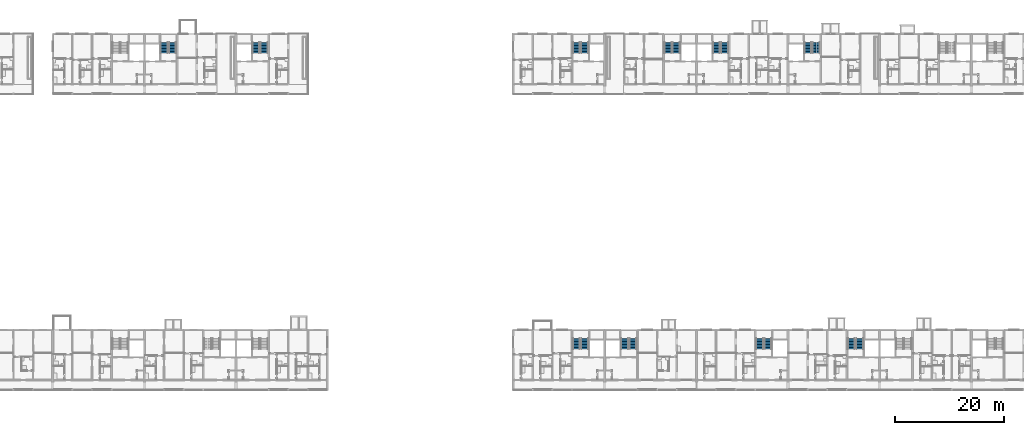
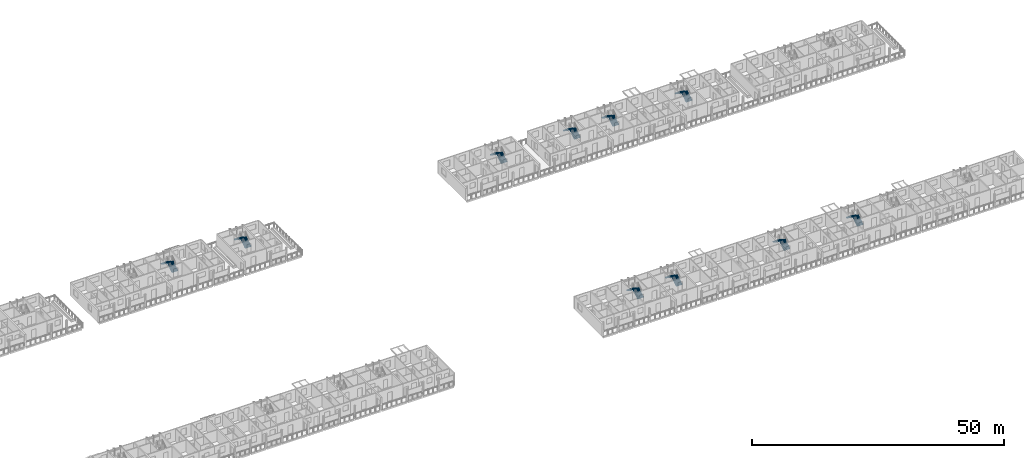
# One storey, part 61 of 94: 20 stair flights, 10 elements without a shape of their own.
"""IFC4 building model written with IfcOpenShell, lengths in metres."""

from ifc_helpers import new_model, si_unit, direction, frame, origin, place, context, subcontext, project, spatial, polyline, outline, extrude, material, type_object, element, aggregate, save


model = new_model("IFC4")

# Units and contexts
model_context = context("Model", 3, precision=1e-05, world=origin(), true_north=direction((0.0, 1.0)))
body_context = subcontext(model_context, "Body", "Model", "MODEL_VIEW")
ifc_project = project(units=[si_unit("LENGTHUNIT", "METRE"), si_unit("AREAUNIT", "SQUARE_METRE"), si_unit("VOLUMEUNIT", "CUBIC_METRE"), si_unit("PLANEANGLEUNIT", "RADIAN"), si_unit("MASSUNIT", "GRAM", prefix="KILO")], contexts=[model_context])

# Site, building, storey
site_placement = place(None, origin())
site = spatial("IfcSite", under=ifc_project, at=site_placement, CompositionType="ELEMENT")
building_placement = place(site_placement, origin())
building = spatial("IfcBuilding", under=site, at=building_placement, Name="Ridgestep Commons", CompositionType="ELEMENT")
storey_placement = place(building_placement, frame((0.0, 0.0, 21.0)))
storey = spatial("IfcBuildingStorey", under=building, at=storey_placement, Name="L07", CompositionType="ELEMENT", Elevation=21.0)

# Stair, stair flights
ifc_material_1 = material(Name="Precast concrete C40/50", Category="concrete")
stair_type = type_object("IfcStairType", Name="Escape stair 1400", PredefinedType="HALF_TURN_STAIR", material=ifc_material_1)
stair_1_placement = place(storey_placement, origin())
stair_1 = element("IfcStair", 1, at=stair_1_placement, inside=storey, type_object=stair_type, Name="L07 Escape stair B5C", PredefinedType="HALF_TURN_STAIR")
ifc_material_2 = material(Name="Precast concrete C40/50", Category="concrete")
stair_flight_type = type_object("IfcStairFlightType", Name="Stair flight 1400", PredefinedType="STRAIGHT", material=ifc_material_2)
stair_flight_1_placement = place(storey_placement, frame((84.375, 73.60009765625, 0.0), z_axis=(0.0, 0.0, 1.0), x_axis=(0.0, 1.0, 0.0)))
stair_flight_1 = element("IfcStairFlight", 2, at=stair_flight_1_placement, type_object=stair_flight_type, Name="B5C flight 1", NumberOfRisers=8, NumberOfTreads=7, PredefinedType="STRAIGHT", RiserHeight=0.1875, TreadLength=0.28, context=body_context, shape_type="SweptSolid", body=[
    extrude(outline(polyline([(0.0, 0.0), (0.0, 0.1875), (0.280029296875, 0.1875), (0.280029296875, 0.375), (0.56005859375, 0.375), (0.56005859375, 0.5625), (0.840087890625, 0.5625), (0.840087890625, 0.75), (1.1201171875, 0.75), (1.1201171875, 0.9375), (1.39990234375, 0.9375), (1.39990234375, 1.125), (1.679931640625, 1.125), (1.679931640625, 1.3125), (1.9599609375, 1.3125), (1.9599609375, 1.5), (1.9599609375, 1.132080078125), (0.26953125, 0.0), (0.0, 0.0)])), frame((0.0, 0.699951171875, 0.0), z_axis=(0.0, -1.0, 0.0), x_axis=(1.0, 0.0, 0.0)), (0.0, 0.0, 1.0), 0.695068359375),
    extrude(outline(polyline([(0.0, 0.0), (0.0, 0.1875), (0.280029296875, 0.1875), (0.280029296875, 0.375), (0.56005859375, 0.375), (0.56005859375, 0.5625), (0.840087890625, 0.5625), (0.840087890625, 0.75), (1.1201171875, 0.75), (1.1201171875, 0.9375), (1.39990234375, 0.9375), (1.39990234375, 1.125), (1.679931640625, 1.125), (1.679931640625, 1.3125), (1.9599609375, 1.3125), (1.9599609375, 1.5), (1.9599609375, 1.132080078125), (0.26953125, 0.0), (0.0, 0.0)])), frame((0.0, -0.0048828125, 0.0), z_axis=(0.0, -1.0, 0.0), x_axis=(1.0, 0.0, 0.0)), (0.0, 0.0, 1.0), 0.695068359375),
])
stair_flight_2_placement = place(storey_placement, frame((82.875, 75.56005859375, 1.5), z_axis=(0.0, 0.0, 1.0), x_axis=(0.0, -1.0, 0.0)))
stair_flight_2 = element("IfcStairFlight", 3, at=stair_flight_2_placement, type_object=stair_flight_type, Name="B5C flight 2", NumberOfRisers=8, NumberOfTreads=7, PredefinedType="STRAIGHT", RiserHeight=0.1875, TreadLength=0.28, context=body_context, shape_type="SweptSolid", body=[
    extrude(outline(polyline([(0.0, 0.0), (0.0, 0.1875), (0.280029296875, 0.1875), (0.280029296875, 0.375), (0.56005859375, 0.375), (0.56005859375, 0.5625), (0.840087890625, 0.5625), (0.840087890625, 0.75), (1.1201171875, 0.75), (1.1201171875, 0.9375), (1.39990234375, 0.9375), (1.39990234375, 1.125), (1.679931640625, 1.125), (1.679931640625, 1.3125), (1.9599609375, 1.3125), (1.9599609375, 1.5), (1.9599609375, 1.132080078125), (0.26953125, 0.0), (0.0, 0.0)])), frame((0.0, 0.699951171875, 0.0), z_axis=(0.0, -1.0, 0.0), x_axis=(1.0, 0.0, 0.0)), (0.0, 0.0, 1.0), 0.695068359375),
    extrude(outline(polyline([(0.0, 0.0), (0.0, 0.1875), (0.280029296875, 0.1875), (0.280029296875, 0.375), (0.56005859375, 0.375), (0.56005859375, 0.5625), (0.840087890625, 0.5625), (0.840087890625, 0.75), (1.1201171875, 0.75), (1.1201171875, 0.9375), (1.39990234375, 0.9375), (1.39990234375, 1.125), (1.679931640625, 1.125), (1.679931640625, 1.3125), (1.9599609375, 1.3125), (1.9599609375, 1.5), (1.9599609375, 1.132080078125), (0.26953125, 0.0), (0.0, 0.0)])), frame((0.0, -0.0048828125, 0.0), z_axis=(0.0, -1.0, 0.0), x_axis=(1.0, 0.0, 0.0)), (0.0, 0.0, 1.0), 0.695068359375),
])
aggregate(stair_1, [stair_flight_1, stair_flight_2])

stair_2_placement = place(storey_placement, origin())
stair_2 = element("IfcStair", 4, at=stair_2_placement, inside=storey, type_object=stair_type, Name="L07 Escape stair B6C", PredefinedType="HALF_TURN_STAIR")
stair_flight_3_placement = place(storey_placement, frame((101.175048828125, 73.60009765625, 0.0), z_axis=(0.0, 0.0, 1.0), x_axis=(0.0, 1.0, 0.0)))
stair_flight_3 = element("IfcStairFlight", 5, at=stair_flight_3_placement, type_object=stair_flight_type, Name="B6C flight 1", NumberOfRisers=8, NumberOfTreads=7, PredefinedType="STRAIGHT", RiserHeight=0.1875, TreadLength=0.28, context=body_context, shape_type="SweptSolid", body=[
    extrude(outline(polyline([(0.0, 0.0), (0.0, 0.1875), (0.280029296875, 0.1875), (0.280029296875, 0.375), (0.56005859375, 0.375), (0.56005859375, 0.5625), (0.840087890625, 0.5625), (0.840087890625, 0.75), (1.1201171875, 0.75), (1.1201171875, 0.9375), (1.39990234375, 0.9375), (1.39990234375, 1.125), (1.679931640625, 1.125), (1.679931640625, 1.3125), (1.9599609375, 1.3125), (1.9599609375, 1.5), (1.9599609375, 1.132080078125), (0.26953125, 0.0), (0.0, 0.0)])), frame((0.0, 0.699951171875, 0.0), z_axis=(0.0, -1.0, 0.0), x_axis=(1.0, 0.0, 0.0)), (0.0, 0.0, 1.0), 0.695068359375),
    extrude(outline(polyline([(0.0, 0.0), (0.0, 0.1875), (0.280029296875, 0.1875), (0.280029296875, 0.375), (0.56005859375, 0.375), (0.56005859375, 0.5625), (0.840087890625, 0.5625), (0.840087890625, 0.75), (1.1201171875, 0.75), (1.1201171875, 0.9375), (1.39990234375, 0.9375), (1.39990234375, 1.125), (1.679931640625, 1.125), (1.679931640625, 1.3125), (1.9599609375, 1.3125), (1.9599609375, 1.5), (1.9599609375, 1.132080078125), (0.26953125, 0.0), (0.0, 0.0)])), frame((0.0, -0.0048828125, 0.0), z_axis=(0.0, -1.0, 0.0), x_axis=(1.0, 0.0, 0.0)), (0.0, 0.0, 1.0), 0.695068359375),
])
stair_flight_4_placement = place(storey_placement, frame((99.675048828125, 75.56005859375, 1.5), z_axis=(0.0, 0.0, 1.0), x_axis=(0.0, -1.0, 0.0)))
stair_flight_4 = element("IfcStairFlight", 6, at=stair_flight_4_placement, type_object=stair_flight_type, Name="B6C flight 2", NumberOfRisers=8, NumberOfTreads=7, PredefinedType="STRAIGHT", RiserHeight=0.1875, TreadLength=0.28, context=body_context, shape_type="SweptSolid", body=[
    extrude(outline(polyline([(0.0, 0.0), (0.0, 0.1875), (0.280029296875, 0.1875), (0.280029296875, 0.375), (0.56005859375, 0.375), (0.56005859375, 0.5625), (0.840087890625, 0.5625), (0.840087890625, 0.75), (1.1201171875, 0.75), (1.1201171875, 0.9375), (1.39990234375, 0.9375), (1.39990234375, 1.125), (1.679931640625, 1.125), (1.679931640625, 1.3125), (1.9599609375, 1.3125), (1.9599609375, 1.5), (1.9599609375, 1.132080078125), (0.26953125, 0.0), (0.0, 0.0)])), frame((0.0, 0.699951171875, 0.0), z_axis=(0.0, -1.0, 0.0), x_axis=(1.0, 0.0, 0.0)), (0.0, 0.0, 1.0), 0.695068359375),
    extrude(outline(polyline([(0.0, 0.0), (0.0, 0.1875), (0.280029296875, 0.1875), (0.280029296875, 0.375), (0.56005859375, 0.375), (0.56005859375, 0.5625), (0.840087890625, 0.5625), (0.840087890625, 0.75), (1.1201171875, 0.75), (1.1201171875, 0.9375), (1.39990234375, 0.9375), (1.39990234375, 1.125), (1.679931640625, 1.125), (1.679931640625, 1.3125), (1.9599609375, 1.3125), (1.9599609375, 1.5), (1.9599609375, 1.132080078125), (0.26953125, 0.0), (0.0, 0.0)])), frame((0.0, -0.0048828125, 0.0), z_axis=(0.0, -1.0, 0.0), x_axis=(1.0, 0.0, 0.0)), (0.0, 0.0, 1.0), 0.695068359375),
])
aggregate(stair_2, [stair_flight_3, stair_flight_4])

stair_3_placement = place(storey_placement, origin())
stair_3 = element("IfcStair", 7, at=stair_3_placement, inside=storey, type_object=stair_type, Name="L07 Escape stair C1C", PredefinedType="HALF_TURN_STAIR")
stair_flight_5_placement = place(storey_placement, frame((159.925048828125, 73.60009765625, 0.0), z_axis=(0.0, 0.0, 1.0), x_axis=(0.0, 1.0, 0.0)))
stair_flight_5 = element("IfcStairFlight", 8, at=stair_flight_5_placement, type_object=stair_flight_type, Name="C1C flight 1", NumberOfRisers=8, NumberOfTreads=7, PredefinedType="STRAIGHT", RiserHeight=0.1875, TreadLength=0.28, context=body_context, shape_type="SweptSolid", body=[
    extrude(outline(polyline([(0.0, 0.0), (0.0, 0.1875), (0.280029296875, 0.1875), (0.280029296875, 0.375), (0.56005859375, 0.375), (0.56005859375, 0.5625), (0.840087890625, 0.5625), (0.840087890625, 0.75), (1.1201171875, 0.75), (1.1201171875, 0.9375), (1.39990234375, 0.9375), (1.39990234375, 1.125), (1.679931640625, 1.125), (1.679931640625, 1.3125), (1.9599609375, 1.3125), (1.9599609375, 1.5), (1.9599609375, 1.132080078125), (0.26953125, 0.0), (0.0, 0.0)])), frame((0.0, 0.699951171875, 0.0), z_axis=(0.0, -1.0, 0.0), x_axis=(1.0, 0.0, 0.0)), (0.0, 0.0, 1.0), 0.695068359375),
    extrude(outline(polyline([(0.0, 0.0), (0.0, 0.1875), (0.280029296875, 0.1875), (0.280029296875, 0.375), (0.56005859375, 0.375), (0.56005859375, 0.5625), (0.840087890625, 0.5625), (0.840087890625, 0.75), (1.1201171875, 0.75), (1.1201171875, 0.9375), (1.39990234375, 0.9375), (1.39990234375, 1.125), (1.679931640625, 1.125), (1.679931640625, 1.3125), (1.9599609375, 1.3125), (1.9599609375, 1.5), (1.9599609375, 1.132080078125), (0.26953125, 0.0), (0.0, 0.0)])), frame((0.0, -0.0048828125, 0.0), z_axis=(0.0, -1.0, 0.0), x_axis=(1.0, 0.0, 0.0)), (0.0, 0.0, 1.0), 0.695068359375),
])
stair_flight_6_placement = place(storey_placement, frame((158.425048828125, 75.56005859375, 1.5), z_axis=(0.0, 0.0, 1.0), x_axis=(0.0, -1.0, 0.0)))
stair_flight_6 = element("IfcStairFlight", 9, at=stair_flight_6_placement, type_object=stair_flight_type, Name="C1C flight 2", NumberOfRisers=8, NumberOfTreads=7, PredefinedType="STRAIGHT", RiserHeight=0.1875, TreadLength=0.28, context=body_context, shape_type="SweptSolid", body=[
    extrude(outline(polyline([(0.0, 0.0), (0.0, 0.1875), (0.280029296875, 0.1875), (0.280029296875, 0.375), (0.56005859375, 0.375), (0.56005859375, 0.5625), (0.840087890625, 0.5625), (0.840087890625, 0.75), (1.1201171875, 0.75), (1.1201171875, 0.9375), (1.39990234375, 0.9375), (1.39990234375, 1.125), (1.679931640625, 1.125), (1.679931640625, 1.3125), (1.9599609375, 1.3125), (1.9599609375, 1.5), (1.9599609375, 1.132080078125), (0.26953125, 0.0), (0.0, 0.0)])), frame((0.0, 0.699951171875, 0.0), z_axis=(0.0, -1.0, 0.0), x_axis=(1.0, 0.0, 0.0)), (0.0, 0.0, 1.0), 0.695068359375),
    extrude(outline(polyline([(0.0, 0.0), (0.0, 0.1875), (0.280029296875, 0.1875), (0.280029296875, 0.375), (0.56005859375, 0.375), (0.56005859375, 0.5625), (0.840087890625, 0.5625), (0.840087890625, 0.75), (1.1201171875, 0.75), (1.1201171875, 0.9375), (1.39990234375, 0.9375), (1.39990234375, 1.125), (1.679931640625, 1.125), (1.679931640625, 1.3125), (1.9599609375, 1.3125), (1.9599609375, 1.5), (1.9599609375, 1.132080078125), (0.26953125, 0.0), (0.0, 0.0)])), frame((0.0, -0.0048828125, 0.0), z_axis=(0.0, -1.0, 0.0), x_axis=(1.0, 0.0, 0.0)), (0.0, 0.0, 1.0), 0.695068359375),
])
aggregate(stair_3, [stair_flight_5, stair_flight_6])

stair_4_placement = place(storey_placement, origin())
stair_4 = element("IfcStair", 10, at=stair_4_placement, inside=storey, type_object=stair_type, Name="L07 Escape stair C2C", PredefinedType="HALF_TURN_STAIR")
stair_flight_7_placement = place(storey_placement, frame((176.72509765625, 73.60009765625, 0.0), z_axis=(0.0, 0.0, 1.0), x_axis=(0.0, 1.0, 0.0)))
stair_flight_7 = element("IfcStairFlight", 11, at=stair_flight_7_placement, type_object=stair_flight_type, Name="C2C flight 1", NumberOfRisers=8, NumberOfTreads=7, PredefinedType="STRAIGHT", RiserHeight=0.1875, TreadLength=0.28, context=body_context, shape_type="SweptSolid", body=[
    extrude(outline(polyline([(0.0, 0.0), (0.0, 0.1875), (0.280029296875, 0.1875), (0.280029296875, 0.375), (0.56005859375, 0.375), (0.56005859375, 0.5625), (0.840087890625, 0.5625), (0.840087890625, 0.75), (1.1201171875, 0.75), (1.1201171875, 0.9375), (1.39990234375, 0.9375), (1.39990234375, 1.125), (1.679931640625, 1.125), (1.679931640625, 1.3125), (1.9599609375, 1.3125), (1.9599609375, 1.5), (1.9599609375, 1.132080078125), (0.26953125, 0.0), (0.0, 0.0)])), frame((0.0, 0.699951171875, 0.0), z_axis=(0.0, -1.0, 0.0), x_axis=(1.0, 0.0, 0.0)), (0.0, 0.0, 1.0), 0.695068359375),
    extrude(outline(polyline([(0.0, 0.0), (0.0, 0.1875), (0.280029296875, 0.1875), (0.280029296875, 0.375), (0.56005859375, 0.375), (0.56005859375, 0.5625), (0.840087890625, 0.5625), (0.840087890625, 0.75), (1.1201171875, 0.75), (1.1201171875, 0.9375), (1.39990234375, 0.9375), (1.39990234375, 1.125), (1.679931640625, 1.125), (1.679931640625, 1.3125), (1.9599609375, 1.3125), (1.9599609375, 1.5), (1.9599609375, 1.132080078125), (0.26953125, 0.0), (0.0, 0.0)])), frame((0.0, -0.0048828125, 0.0), z_axis=(0.0, -1.0, 0.0), x_axis=(1.0, 0.0, 0.0)), (0.0, 0.0, 1.0), 0.695068359375),
])
stair_flight_8_placement = place(storey_placement, frame((175.22509765625, 75.56005859375, 1.5), z_axis=(0.0, 0.0, 1.0), x_axis=(0.0, -1.0, 0.0)))
stair_flight_8 = element("IfcStairFlight", 12, at=stair_flight_8_placement, type_object=stair_flight_type, Name="C2C flight 2", NumberOfRisers=8, NumberOfTreads=7, PredefinedType="STRAIGHT", RiserHeight=0.1875, TreadLength=0.28, context=body_context, shape_type="SweptSolid", body=[
    extrude(outline(polyline([(0.0, 0.0), (0.0, 0.1875), (0.280029296875, 0.1875), (0.280029296875, 0.375), (0.56005859375, 0.375), (0.56005859375, 0.5625), (0.840087890625, 0.5625), (0.840087890625, 0.75), (1.1201171875, 0.75), (1.1201171875, 0.9375), (1.39990234375, 0.9375), (1.39990234375, 1.125), (1.679931640625, 1.125), (1.679931640625, 1.3125), (1.9599609375, 1.3125), (1.9599609375, 1.5), (1.9599609375, 1.132080078125), (0.26953125, 0.0), (0.0, 0.0)])), frame((0.0, 0.699951171875, 0.0), z_axis=(0.0, -1.0, 0.0), x_axis=(1.0, 0.0, 0.0)), (0.0, 0.0, 1.0), 0.695068359375),
    extrude(outline(polyline([(0.0, 0.0), (0.0, 0.1875), (0.280029296875, 0.1875), (0.280029296875, 0.375), (0.56005859375, 0.375), (0.56005859375, 0.5625), (0.840087890625, 0.5625), (0.840087890625, 0.75), (1.1201171875, 0.75), (1.1201171875, 0.9375), (1.39990234375, 0.9375), (1.39990234375, 1.125), (1.679931640625, 1.125), (1.679931640625, 1.3125), (1.9599609375, 1.3125), (1.9599609375, 1.5), (1.9599609375, 1.132080078125), (0.26953125, 0.0), (0.0, 0.0)])), frame((0.0, -0.0048828125, 0.0), z_axis=(0.0, -1.0, 0.0), x_axis=(1.0, 0.0, 0.0)), (0.0, 0.0, 1.0), 0.695068359375),
])
aggregate(stair_4, [stair_flight_7, stair_flight_8])

stair_5_placement = place(storey_placement, origin())
stair_5 = element("IfcStair", 13, at=stair_5_placement, inside=storey, type_object=stair_type, Name="L07 Escape stair C3C", PredefinedType="HALF_TURN_STAIR")
stair_flight_9_placement = place(storey_placement, frame((185.574951171875, 73.60009765625, 0.0), z_axis=(0.0, 0.0, 1.0), x_axis=(0.0, 1.0, 0.0)))
stair_flight_9 = element("IfcStairFlight", 14, at=stair_flight_9_placement, type_object=stair_flight_type, Name="C3C flight 1", NumberOfRisers=8, NumberOfTreads=7, PredefinedType="STRAIGHT", RiserHeight=0.1875, TreadLength=0.28, context=body_context, shape_type="SweptSolid", body=[
    extrude(outline(polyline([(0.0, 0.0), (0.0, 0.1875), (0.280029296875, 0.1875), (0.280029296875, 0.375), (0.56005859375, 0.375), (0.56005859375, 0.5625), (0.840087890625, 0.5625), (0.840087890625, 0.75), (1.1201171875, 0.75), (1.1201171875, 0.9375), (1.39990234375, 0.9375), (1.39990234375, 1.125), (1.679931640625, 1.125), (1.679931640625, 1.3125), (1.9599609375, 1.3125), (1.9599609375, 1.5), (1.9599609375, 1.132080078125), (0.26953125, 0.0), (0.0, 0.0)])), frame((0.0, 0.699951171875, 0.0), z_axis=(0.0, -1.0, 0.0), x_axis=(1.0, 0.0, 0.0)), (0.0, 0.0, 1.0), 0.695068359375),
    extrude(outline(polyline([(0.0, 0.0), (0.0, 0.1875), (0.280029296875, 0.1875), (0.280029296875, 0.375), (0.56005859375, 0.375), (0.56005859375, 0.5625), (0.840087890625, 0.5625), (0.840087890625, 0.75), (1.1201171875, 0.75), (1.1201171875, 0.9375), (1.39990234375, 0.9375), (1.39990234375, 1.125), (1.679931640625, 1.125), (1.679931640625, 1.3125), (1.9599609375, 1.3125), (1.9599609375, 1.5), (1.9599609375, 1.132080078125), (0.26953125, 0.0), (0.0, 0.0)])), frame((0.0, -0.0048828125, 0.0), z_axis=(0.0, -1.0, 0.0), x_axis=(1.0, 0.0, 0.0)), (0.0, 0.0, 1.0), 0.695068359375),
])
stair_flight_10_placement = place(storey_placement, frame((184.074951171875, 75.56005859375, 1.5), z_axis=(0.0, 0.0, 1.0), x_axis=(0.0, -1.0, 0.0)))
stair_flight_10 = element("IfcStairFlight", 15, at=stair_flight_10_placement, type_object=stair_flight_type, Name="C3C flight 2", NumberOfRisers=8, NumberOfTreads=7, PredefinedType="STRAIGHT", RiserHeight=0.1875, TreadLength=0.28, context=body_context, shape_type="SweptSolid", body=[
    extrude(outline(polyline([(0.0, 0.0), (0.0, 0.1875), (0.280029296875, 0.1875), (0.280029296875, 0.375), (0.56005859375, 0.375), (0.56005859375, 0.5625), (0.840087890625, 0.5625), (0.840087890625, 0.75), (1.1201171875, 0.75), (1.1201171875, 0.9375), (1.39990234375, 0.9375), (1.39990234375, 1.125), (1.679931640625, 1.125), (1.679931640625, 1.3125), (1.9599609375, 1.3125), (1.9599609375, 1.5), (1.9599609375, 1.132080078125), (0.26953125, 0.0), (0.0, 0.0)])), frame((0.0, 0.699951171875, 0.0), z_axis=(0.0, -1.0, 0.0), x_axis=(1.0, 0.0, 0.0)), (0.0, 0.0, 1.0), 0.695068359375),
    extrude(outline(polyline([(0.0, 0.0), (0.0, 0.1875), (0.280029296875, 0.1875), (0.280029296875, 0.375), (0.56005859375, 0.375), (0.56005859375, 0.5625), (0.840087890625, 0.5625), (0.840087890625, 0.75), (1.1201171875, 0.75), (1.1201171875, 0.9375), (1.39990234375, 0.9375), (1.39990234375, 1.125), (1.679931640625, 1.125), (1.679931640625, 1.3125), (1.9599609375, 1.3125), (1.9599609375, 1.5), (1.9599609375, 1.132080078125), (0.26953125, 0.0), (0.0, 0.0)])), frame((0.0, -0.0048828125, 0.0), z_axis=(0.0, -1.0, 0.0), x_axis=(1.0, 0.0, 0.0)), (0.0, 0.0, 1.0), 0.695068359375),
])
aggregate(stair_5, [stair_flight_9, stair_flight_10])

stair_6_placement = place(storey_placement, origin())
stair_6 = element("IfcStair", 16, at=stair_6_placement, inside=storey, type_object=stair_type, Name="L07 Escape stair C4C", PredefinedType="HALF_TURN_STAIR")
stair_flight_11_placement = place(storey_placement, frame((202.375, 73.60009765625, 0.0), z_axis=(0.0, 0.0, 1.0), x_axis=(0.0, 1.0, 0.0)))
stair_flight_11 = element("IfcStairFlight", 17, at=stair_flight_11_placement, type_object=stair_flight_type, Name="C4C flight 1", NumberOfRisers=8, NumberOfTreads=7, PredefinedType="STRAIGHT", RiserHeight=0.1875, TreadLength=0.28, context=body_context, shape_type="SweptSolid", body=[
    extrude(outline(polyline([(0.0, 0.0), (0.0, 0.1875), (0.280029296875, 0.1875), (0.280029296875, 0.375), (0.56005859375, 0.375), (0.56005859375, 0.5625), (0.840087890625, 0.5625), (0.840087890625, 0.75), (1.1201171875, 0.75), (1.1201171875, 0.9375), (1.39990234375, 0.9375), (1.39990234375, 1.125), (1.679931640625, 1.125), (1.679931640625, 1.3125), (1.9599609375, 1.3125), (1.9599609375, 1.5), (1.9599609375, 1.132080078125), (0.26953125, 0.0), (0.0, 0.0)])), frame((0.0, 0.699951171875, 0.0), z_axis=(0.0, -1.0, 0.0), x_axis=(1.0, 0.0, 0.0)), (0.0, 0.0, 1.0), 0.695068359375),
    extrude(outline(polyline([(0.0, 0.0), (0.0, 0.1875), (0.280029296875, 0.1875), (0.280029296875, 0.375), (0.56005859375, 0.375), (0.56005859375, 0.5625), (0.840087890625, 0.5625), (0.840087890625, 0.75), (1.1201171875, 0.75), (1.1201171875, 0.9375), (1.39990234375, 0.9375), (1.39990234375, 1.125), (1.679931640625, 1.125), (1.679931640625, 1.3125), (1.9599609375, 1.3125), (1.9599609375, 1.5), (1.9599609375, 1.132080078125), (0.26953125, 0.0), (0.0, 0.0)])), frame((0.0, -0.0048828125, 0.0), z_axis=(0.0, -1.0, 0.0), x_axis=(1.0, 0.0, 0.0)), (0.0, 0.0, 1.0), 0.695068359375),
])
stair_flight_12_placement = place(storey_placement, frame((200.875, 75.56005859375, 1.5), z_axis=(0.0, 0.0, 1.0), x_axis=(0.0, -1.0, 0.0)))
stair_flight_12 = element("IfcStairFlight", 18, at=stair_flight_12_placement, type_object=stair_flight_type, Name="C4C flight 2", NumberOfRisers=8, NumberOfTreads=7, PredefinedType="STRAIGHT", RiserHeight=0.1875, TreadLength=0.28, context=body_context, shape_type="SweptSolid", body=[
    extrude(outline(polyline([(0.0, 0.0), (0.0, 0.1875), (0.280029296875, 0.1875), (0.280029296875, 0.375), (0.56005859375, 0.375), (0.56005859375, 0.5625), (0.840087890625, 0.5625), (0.840087890625, 0.75), (1.1201171875, 0.75), (1.1201171875, 0.9375), (1.39990234375, 0.9375), (1.39990234375, 1.125), (1.679931640625, 1.125), (1.679931640625, 1.3125), (1.9599609375, 1.3125), (1.9599609375, 1.5), (1.9599609375, 1.132080078125), (0.26953125, 0.0), (0.0, 0.0)])), frame((0.0, 0.699951171875, 0.0), z_axis=(0.0, -1.0, 0.0), x_axis=(1.0, 0.0, 0.0)), (0.0, 0.0, 1.0), 0.695068359375),
    extrude(outline(polyline([(0.0, 0.0), (0.0, 0.1875), (0.280029296875, 0.1875), (0.280029296875, 0.375), (0.56005859375, 0.375), (0.56005859375, 0.5625), (0.840087890625, 0.5625), (0.840087890625, 0.75), (1.1201171875, 0.75), (1.1201171875, 0.9375), (1.39990234375, 0.9375), (1.39990234375, 1.125), (1.679931640625, 1.125), (1.679931640625, 1.3125), (1.9599609375, 1.3125), (1.9599609375, 1.5), (1.9599609375, 1.132080078125), (0.26953125, 0.0), (0.0, 0.0)])), frame((0.0, -0.0048828125, 0.0), z_axis=(0.0, -1.0, 0.0), x_axis=(1.0, 0.0, 0.0)), (0.0, 0.0, 1.0), 0.695068359375),
])
aggregate(stair_6, [stair_flight_11, stair_flight_12])

stair_7_placement = place(storey_placement, origin())
stair_7 = element("IfcStair", 19, at=stair_7_placement, inside=storey, type_object=stair_type, Name="L07 Escape stair D1C", PredefinedType="HALF_TURN_STAIR")
stair_flight_13_placement = place(storey_placement, frame((159.925048828125, 19.35009765625, 0.0), z_axis=(0.0, 0.0, 1.0), x_axis=(0.0, 1.0, 0.0)))
stair_flight_13 = element("IfcStairFlight", 20, at=stair_flight_13_placement, type_object=stair_flight_type, Name="D1C flight 1", NumberOfRisers=8, NumberOfTreads=7, PredefinedType="STRAIGHT", RiserHeight=0.1875, TreadLength=0.28, context=body_context, shape_type="SweptSolid", body=[
    extrude(outline(polyline([(0.0, 0.0), (0.0, 0.1875), (0.280029296875, 0.1875), (0.280029296875, 0.375), (0.56005859375, 0.375), (0.56005859375, 0.5625), (0.840087890625, 0.5625), (0.840087890625, 0.75), (1.1201171875, 0.75), (1.1201171875, 0.9375), (1.39990234375, 0.9375), (1.39990234375, 1.125), (1.679931640625, 1.125), (1.679931640625, 1.3125), (1.9599609375, 1.3125), (1.9599609375, 1.5), (1.9599609375, 1.132080078125), (0.26953125, 0.0), (0.0, 0.0)])), frame((0.0, 0.699951171875, 0.0), z_axis=(0.0, -1.0, 0.0), x_axis=(1.0, 0.0, 0.0)), (0.0, 0.0, 1.0), 0.695068359375),
    extrude(outline(polyline([(0.0, 0.0), (0.0, 0.1875), (0.280029296875, 0.1875), (0.280029296875, 0.375), (0.56005859375, 0.375), (0.56005859375, 0.5625), (0.840087890625, 0.5625), (0.840087890625, 0.75), (1.1201171875, 0.75), (1.1201171875, 0.9375), (1.39990234375, 0.9375), (1.39990234375, 1.125), (1.679931640625, 1.125), (1.679931640625, 1.3125), (1.9599609375, 1.3125), (1.9599609375, 1.5), (1.9599609375, 1.132080078125), (0.26953125, 0.0), (0.0, 0.0)])), frame((0.0, -0.0048828125, 0.0), z_axis=(0.0, -1.0, 0.0), x_axis=(1.0, 0.0, 0.0)), (0.0, 0.0, 1.0), 0.695068359375),
])
stair_flight_14_placement = place(storey_placement, frame((158.425048828125, 21.31005859375, 1.5), z_axis=(0.0, 0.0, 1.0), x_axis=(0.0, -1.0, 0.0)))
stair_flight_14 = element("IfcStairFlight", 21, at=stair_flight_14_placement, type_object=stair_flight_type, Name="D1C flight 2", NumberOfRisers=8, NumberOfTreads=7, PredefinedType="STRAIGHT", RiserHeight=0.1875, TreadLength=0.28, context=body_context, shape_type="SweptSolid", body=[
    extrude(outline(polyline([(0.0, 0.0), (0.0, 0.1875), (0.280029296875, 0.1875), (0.280029296875, 0.375), (0.56005859375, 0.375), (0.56005859375, 0.5625), (0.840087890625, 0.5625), (0.840087890625, 0.75), (1.1201171875, 0.75), (1.1201171875, 0.9375), (1.39990234375, 0.9375), (1.39990234375, 1.125), (1.679931640625, 1.125), (1.679931640625, 1.3125), (1.9599609375, 1.3125), (1.9599609375, 1.5), (1.9599609375, 1.132080078125), (0.26953125, 0.0), (0.0, 0.0)])), frame((0.0, 0.699951171875, 0.0), z_axis=(0.0, -1.0, 0.0), x_axis=(1.0, 0.0, 0.0)), (0.0, 0.0, 1.0), 0.695068359375),
    extrude(outline(polyline([(0.0, 0.0), (0.0, 0.1875), (0.280029296875, 0.1875), (0.280029296875, 0.375), (0.56005859375, 0.375), (0.56005859375, 0.5625), (0.840087890625, 0.5625), (0.840087890625, 0.75), (1.1201171875, 0.75), (1.1201171875, 0.9375), (1.39990234375, 0.9375), (1.39990234375, 1.125), (1.679931640625, 1.125), (1.679931640625, 1.3125), (1.9599609375, 1.3125), (1.9599609375, 1.5), (1.9599609375, 1.132080078125), (0.26953125, 0.0), (0.0, 0.0)])), frame((0.0, -0.0048828125, 0.0), z_axis=(0.0, -1.0, 0.0), x_axis=(1.0, 0.0, 0.0)), (0.0, 0.0, 1.0), 0.695068359375),
])
aggregate(stair_7, [stair_flight_13, stair_flight_14])

stair_8_placement = place(storey_placement, origin())
stair_8 = element("IfcStair", 22, at=stair_8_placement, inside=storey, type_object=stair_type, Name="L07 Escape stair D2C", PredefinedType="HALF_TURN_STAIR")
stair_flight_15_placement = place(storey_placement, frame((168.77490234375, 19.35009765625, 0.0), z_axis=(0.0, 0.0, 1.0), x_axis=(0.0, 1.0, 0.0)))
stair_flight_15 = element("IfcStairFlight", 23, at=stair_flight_15_placement, type_object=stair_flight_type, Name="D2C flight 1", NumberOfRisers=8, NumberOfTreads=7, PredefinedType="STRAIGHT", RiserHeight=0.1875, TreadLength=0.28, context=body_context, shape_type="SweptSolid", body=[
    extrude(outline(polyline([(0.0, 0.0), (0.0, 0.1875), (0.280029296875, 0.1875), (0.280029296875, 0.375), (0.56005859375, 0.375), (0.56005859375, 0.5625), (0.840087890625, 0.5625), (0.840087890625, 0.75), (1.1201171875, 0.75), (1.1201171875, 0.9375), (1.39990234375, 0.9375), (1.39990234375, 1.125), (1.679931640625, 1.125), (1.679931640625, 1.3125), (1.9599609375, 1.3125), (1.9599609375, 1.5), (1.9599609375, 1.132080078125), (0.26953125, 0.0), (0.0, 0.0)])), frame((0.0, 0.699951171875, 0.0), z_axis=(0.0, -1.0, 0.0), x_axis=(1.0, 0.0, 0.0)), (0.0, 0.0, 1.0), 0.695068359375),
    extrude(outline(polyline([(0.0, 0.0), (0.0, 0.1875), (0.280029296875, 0.1875), (0.280029296875, 0.375), (0.56005859375, 0.375), (0.56005859375, 0.5625), (0.840087890625, 0.5625), (0.840087890625, 0.75), (1.1201171875, 0.75), (1.1201171875, 0.9375), (1.39990234375, 0.9375), (1.39990234375, 1.125), (1.679931640625, 1.125), (1.679931640625, 1.3125), (1.9599609375, 1.3125), (1.9599609375, 1.5), (1.9599609375, 1.132080078125), (0.26953125, 0.0), (0.0, 0.0)])), frame((0.0, -0.0048828125, 0.0), z_axis=(0.0, -1.0, 0.0), x_axis=(1.0, 0.0, 0.0)), (0.0, 0.0, 1.0), 0.695068359375),
])
stair_flight_16_placement = place(storey_placement, frame((167.27490234375, 21.31005859375, 1.5), z_axis=(0.0, 0.0, 1.0), x_axis=(0.0, -1.0, 0.0)))
stair_flight_16 = element("IfcStairFlight", 24, at=stair_flight_16_placement, type_object=stair_flight_type, Name="D2C flight 2", NumberOfRisers=8, NumberOfTreads=7, PredefinedType="STRAIGHT", RiserHeight=0.1875, TreadLength=0.28, context=body_context, shape_type="SweptSolid", body=[
    extrude(outline(polyline([(0.0, 0.0), (0.0, 0.1875), (0.280029296875, 0.1875), (0.280029296875, 0.375), (0.56005859375, 0.375), (0.56005859375, 0.5625), (0.840087890625, 0.5625), (0.840087890625, 0.75), (1.1201171875, 0.75), (1.1201171875, 0.9375), (1.39990234375, 0.9375), (1.39990234375, 1.125), (1.679931640625, 1.125), (1.679931640625, 1.3125), (1.9599609375, 1.3125), (1.9599609375, 1.5), (1.9599609375, 1.132080078125), (0.26953125, 0.0), (0.0, 0.0)])), frame((0.0, 0.699951171875, 0.0), z_axis=(0.0, -1.0, 0.0), x_axis=(1.0, 0.0, 0.0)), (0.0, 0.0, 1.0), 0.695068359375),
    extrude(outline(polyline([(0.0, 0.0), (0.0, 0.1875), (0.280029296875, 0.1875), (0.280029296875, 0.375), (0.56005859375, 0.375), (0.56005859375, 0.5625), (0.840087890625, 0.5625), (0.840087890625, 0.75), (1.1201171875, 0.75), (1.1201171875, 0.9375), (1.39990234375, 0.9375), (1.39990234375, 1.125), (1.679931640625, 1.125), (1.679931640625, 1.3125), (1.9599609375, 1.3125), (1.9599609375, 1.5), (1.9599609375, 1.132080078125), (0.26953125, 0.0), (0.0, 0.0)])), frame((0.0, -0.0048828125, 0.0), z_axis=(0.0, -1.0, 0.0), x_axis=(1.0, 0.0, 0.0)), (0.0, 0.0, 1.0), 0.695068359375),
])
aggregate(stair_8, [stair_flight_15, stair_flight_16])

stair_9_placement = place(storey_placement, origin())
stair_9 = element("IfcStair", 25, at=stair_9_placement, inside=storey, type_object=stair_type, Name="L07 Escape stair D3C", PredefinedType="HALF_TURN_STAIR")
stair_flight_17_placement = place(storey_placement, frame((193.52490234375, 19.35009765625, 0.0), z_axis=(0.0, 0.0, 1.0), x_axis=(0.0, 1.0, 0.0)))
stair_flight_17 = element("IfcStairFlight", 26, at=stair_flight_17_placement, type_object=stair_flight_type, Name="D3C flight 1", NumberOfRisers=8, NumberOfTreads=7, PredefinedType="STRAIGHT", RiserHeight=0.1875, TreadLength=0.28, context=body_context, shape_type="SweptSolid", body=[
    extrude(outline(polyline([(0.0, 0.0), (0.0, 0.1875), (0.280029296875, 0.1875), (0.280029296875, 0.375), (0.56005859375, 0.375), (0.56005859375, 0.5625), (0.840087890625, 0.5625), (0.840087890625, 0.75), (1.1201171875, 0.75), (1.1201171875, 0.9375), (1.39990234375, 0.9375), (1.39990234375, 1.125), (1.679931640625, 1.125), (1.679931640625, 1.3125), (1.9599609375, 1.3125), (1.9599609375, 1.5), (1.9599609375, 1.132080078125), (0.26953125, 0.0), (0.0, 0.0)])), frame((0.0, 0.699951171875, 0.0), z_axis=(0.0, -1.0, 0.0), x_axis=(1.0, 0.0, 0.0)), (0.0, 0.0, 1.0), 0.695068359375),
    extrude(outline(polyline([(0.0, 0.0), (0.0, 0.1875), (0.280029296875, 0.1875), (0.280029296875, 0.375), (0.56005859375, 0.375), (0.56005859375, 0.5625), (0.840087890625, 0.5625), (0.840087890625, 0.75), (1.1201171875, 0.75), (1.1201171875, 0.9375), (1.39990234375, 0.9375), (1.39990234375, 1.125), (1.679931640625, 1.125), (1.679931640625, 1.3125), (1.9599609375, 1.3125), (1.9599609375, 1.5), (1.9599609375, 1.132080078125), (0.26953125, 0.0), (0.0, 0.0)])), frame((0.0, -0.0048828125, 0.0), z_axis=(0.0, -1.0, 0.0), x_axis=(1.0, 0.0, 0.0)), (0.0, 0.0, 1.0), 0.695068359375),
])
stair_flight_18_placement = place(storey_placement, frame((192.02490234375, 21.31005859375, 1.5), z_axis=(0.0, 0.0, 1.0), x_axis=(0.0, -1.0, 0.0)))
stair_flight_18 = element("IfcStairFlight", 27, at=stair_flight_18_placement, type_object=stair_flight_type, Name="D3C flight 2", NumberOfRisers=8, NumberOfTreads=7, PredefinedType="STRAIGHT", RiserHeight=0.1875, TreadLength=0.28, context=body_context, shape_type="SweptSolid", body=[
    extrude(outline(polyline([(0.0, 0.0), (0.0, 0.1875), (0.280029296875, 0.1875), (0.280029296875, 0.375), (0.56005859375, 0.375), (0.56005859375, 0.5625), (0.840087890625, 0.5625), (0.840087890625, 0.75), (1.1201171875, 0.75), (1.1201171875, 0.9375), (1.39990234375, 0.9375), (1.39990234375, 1.125), (1.679931640625, 1.125), (1.679931640625, 1.3125), (1.9599609375, 1.3125), (1.9599609375, 1.5), (1.9599609375, 1.132080078125), (0.26953125, 0.0), (0.0, 0.0)])), frame((0.0, 0.699951171875, 0.0), z_axis=(0.0, -1.0, 0.0), x_axis=(1.0, 0.0, 0.0)), (0.0, 0.0, 1.0), 0.695068359375),
    extrude(outline(polyline([(0.0, 0.0), (0.0, 0.1875), (0.280029296875, 0.1875), (0.280029296875, 0.375), (0.56005859375, 0.375), (0.56005859375, 0.5625), (0.840087890625, 0.5625), (0.840087890625, 0.75), (1.1201171875, 0.75), (1.1201171875, 0.9375), (1.39990234375, 0.9375), (1.39990234375, 1.125), (1.679931640625, 1.125), (1.679931640625, 1.3125), (1.9599609375, 1.3125), (1.9599609375, 1.5), (1.9599609375, 1.132080078125), (0.26953125, 0.0), (0.0, 0.0)])), frame((0.0, -0.0048828125, 0.0), z_axis=(0.0, -1.0, 0.0), x_axis=(1.0, 0.0, 0.0)), (0.0, 0.0, 1.0), 0.695068359375),
])
aggregate(stair_9, [stair_flight_17, stair_flight_18])

stair_10_placement = place(storey_placement, origin())
stair_10 = element("IfcStair", 28, at=stair_10_placement, inside=storey, type_object=stair_type, Name="L07 Escape stair D4C", PredefinedType="HALF_TURN_STAIR")
stair_flight_19_placement = place(storey_placement, frame((210.324951171875, 19.35009765625, 0.0), z_axis=(0.0, 0.0, 1.0), x_axis=(0.0, 1.0, 0.0)))
stair_flight_19 = element("IfcStairFlight", 29, at=stair_flight_19_placement, type_object=stair_flight_type, Name="D4C flight 1", NumberOfRisers=8, NumberOfTreads=7, PredefinedType="STRAIGHT", RiserHeight=0.1875, TreadLength=0.28, context=body_context, shape_type="SweptSolid", body=[
    extrude(outline(polyline([(0.0, 0.0), (0.0, 0.1875), (0.280029296875, 0.1875), (0.280029296875, 0.375), (0.56005859375, 0.375), (0.56005859375, 0.5625), (0.840087890625, 0.5625), (0.840087890625, 0.75), (1.1201171875, 0.75), (1.1201171875, 0.9375), (1.39990234375, 0.9375), (1.39990234375, 1.125), (1.679931640625, 1.125), (1.679931640625, 1.3125), (1.9599609375, 1.3125), (1.9599609375, 1.5), (1.9599609375, 1.132080078125), (0.26953125, 0.0), (0.0, 0.0)])), frame((0.0, 0.699951171875, 0.0), z_axis=(0.0, -1.0, 0.0), x_axis=(1.0, 0.0, 0.0)), (0.0, 0.0, 1.0), 0.695068359375),
    extrude(outline(polyline([(0.0, 0.0), (0.0, 0.1875), (0.280029296875, 0.1875), (0.280029296875, 0.375), (0.56005859375, 0.375), (0.56005859375, 0.5625), (0.840087890625, 0.5625), (0.840087890625, 0.75), (1.1201171875, 0.75), (1.1201171875, 0.9375), (1.39990234375, 0.9375), (1.39990234375, 1.125), (1.679931640625, 1.125), (1.679931640625, 1.3125), (1.9599609375, 1.3125), (1.9599609375, 1.5), (1.9599609375, 1.132080078125), (0.26953125, 0.0), (0.0, 0.0)])), frame((0.0, -0.0048828125, 0.0), z_axis=(0.0, -1.0, 0.0), x_axis=(1.0, 0.0, 0.0)), (0.0, 0.0, 1.0), 0.695068359375),
])
stair_flight_20_placement = place(storey_placement, frame((208.824951171875, 21.31005859375, 1.5), z_axis=(0.0, 0.0, 1.0), x_axis=(0.0, -1.0, 0.0)))
stair_flight_20 = element("IfcStairFlight", 30, at=stair_flight_20_placement, type_object=stair_flight_type, Name="D4C flight 2", NumberOfRisers=8, NumberOfTreads=7, PredefinedType="STRAIGHT", RiserHeight=0.1875, TreadLength=0.28, context=body_context, shape_type="SweptSolid", body=[
    extrude(outline(polyline([(0.0, 0.0), (0.0, 0.1875), (0.280029296875, 0.1875), (0.280029296875, 0.375), (0.56005859375, 0.375), (0.56005859375, 0.5625), (0.840087890625, 0.5625), (0.840087890625, 0.75), (1.1201171875, 0.75), (1.1201171875, 0.9375), (1.39990234375, 0.9375), (1.39990234375, 1.125), (1.679931640625, 1.125), (1.679931640625, 1.3125), (1.9599609375, 1.3125), (1.9599609375, 1.5), (1.9599609375, 1.132080078125), (0.26953125, 0.0), (0.0, 0.0)])), frame((0.0, 0.699951171875, 0.0), z_axis=(0.0, -1.0, 0.0), x_axis=(1.0, 0.0, 0.0)), (0.0, 0.0, 1.0), 0.695068359375),
    extrude(outline(polyline([(0.0, 0.0), (0.0, 0.1875), (0.280029296875, 0.1875), (0.280029296875, 0.375), (0.56005859375, 0.375), (0.56005859375, 0.5625), (0.840087890625, 0.5625), (0.840087890625, 0.75), (1.1201171875, 0.75), (1.1201171875, 0.9375), (1.39990234375, 0.9375), (1.39990234375, 1.125), (1.679931640625, 1.125), (1.679931640625, 1.3125), (1.9599609375, 1.3125), (1.9599609375, 1.5), (1.9599609375, 1.132080078125), (0.26953125, 0.0), (0.0, 0.0)])), frame((0.0, -0.0048828125, 0.0), z_axis=(0.0, -1.0, 0.0), x_axis=(1.0, 0.0, 0.0)), (0.0, 0.0, 1.0), 0.695068359375),
])
aggregate(stair_10, [stair_flight_19, stair_flight_20])

save(model, "model.ifc")
